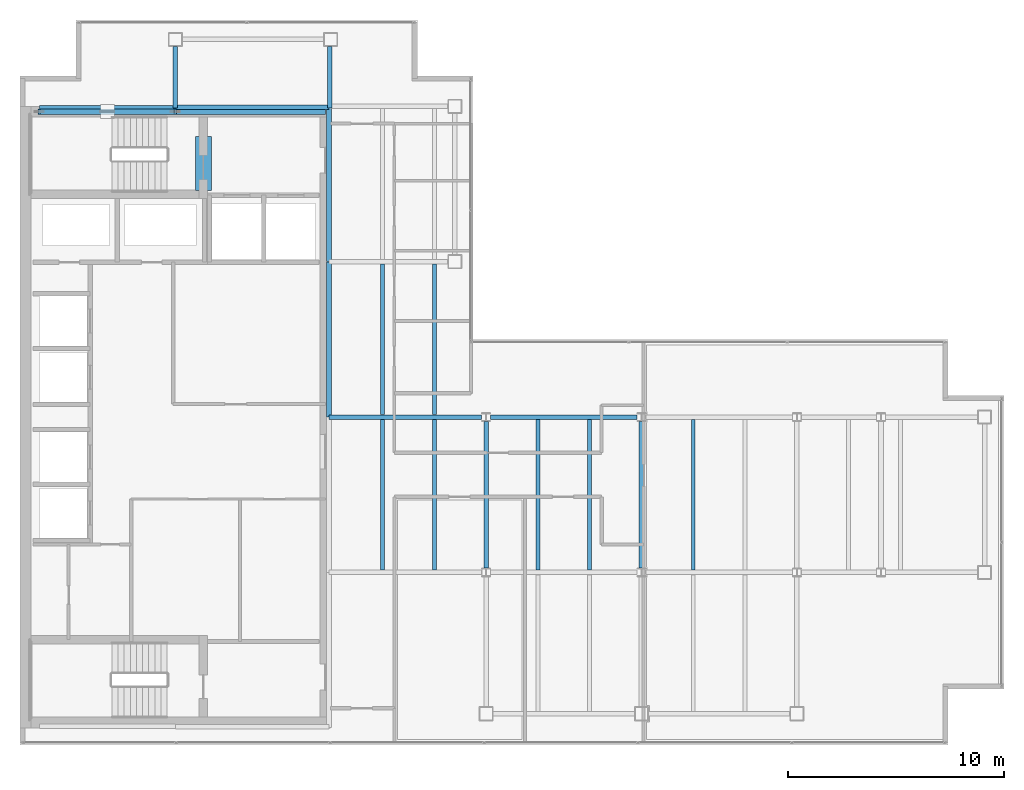
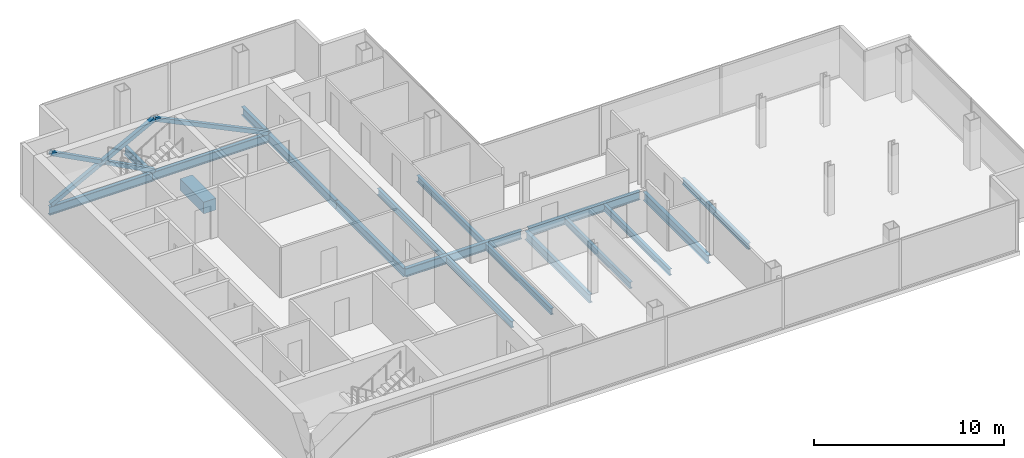
# One storey, part 7 of 23: 18 beams, 4 members.
"""IFC4 building model written with IfcOpenShell, lengths in metres."""

from ifc_helpers import new_model, si_unit, direction, frame, origin, origin_2d, place, context, subcontext, project, spatial, rectangle, hollow_rectangle, i_section, extrude, material, material_profile, profile_set, type_object, element, save


model = new_model("IFC4")

# Units and contexts
model_context = context("Model", 3, precision=1e-05, world=origin(), true_north=direction((0.0, 1.0)))
body_context = subcontext(model_context, "Body", "Model", "MODEL_VIEW")
ifc_project = project(units=[si_unit("LENGTHUNIT", "METRE"), si_unit("AREAUNIT", "SQUARE_METRE"), si_unit("VOLUMEUNIT", "CUBIC_METRE"), si_unit("PLANEANGLEUNIT", "RADIAN"), si_unit("MASSUNIT", "GRAM", prefix="KILO")], contexts=[model_context])

# Site, building, storey
site_placement = place(None, origin())
site = spatial("IfcSite", under=ifc_project, at=site_placement, CompositionType="ELEMENT")
building_placement = place(site_placement, origin())
building = spatial("IfcBuilding", under=site, at=building_placement, Name="Cobrela Telecom Tower", CompositionType="ELEMENT")
storey_placement = place(building_placement, frame((0.0, 0.0, 262.14990234375)))
storey = spatial("IfcBuildingStorey", under=building, at=storey_placement, Name="L68", CompositionType="ELEMENT", Elevation=262.14990234375)

# Beams
ifc_material_1 = material(Name="Concrete C40/50", Category="concrete")
ifc_material_profile_1 = material_profile(ifc_material_1, rectangle(XDim=0.75, YDim=0.75, at=origin_2d()), Name="RC 750x750")
ifc_profile_set_1 = profile_set([ifc_material_profile_1], Name="Concrete C40/50")
beam_type_1 = type_object("IfcBeamType", Name="BM-COUP-RC", PredefinedType="LINTEL", material=ifc_profile_set_1)
beam_1_placement = place(storey_placement, frame((8.5, 32.10009765625, -0.60986328125), z_axis=(0.0, 1.0, 0.0), x_axis=(-1.0, 0.0, 0.0)))
element("IfcBeam", 1, at=beam_1_placement, inside=storey, type_object=beam_type_1, Name="L68 Core Coupling Lintel Beam", PredefinedType="LINTEL", context=body_context, shape_type="SweptSolid", body=[
    extrude(rectangle(XDim=0.75, YDim=0.75, at=origin_2d()), origin(), (0.0, 0.0, 1.0), 2.5),
])
ifc_material_2 = material(Name="Steel ASTM A992 Grade 50", Category="steel")
ifc_material_profile_2 = material_profile(ifc_material_2, i_section(OverallWidth=0.212890625, OverallDepth=0.549072265625, WebThickness=0.0146484375, FlangeThickness=0.023681640625, FilletRadius=0.013916015625, at=origin_2d()), Name="W21X93")
ifc_profile_set_2 = profile_set([ifc_material_profile_2], Name="Steel ASTM A992 Grade 50")
beam_type_2 = type_object("IfcBeamType", Name="BM-GIRD-08", PredefinedType="USERDEFINED", material=ifc_profile_set_2)
beam_2_placement = place(storey_placement, frame((14.324951171875, 21.60009765625, -0.534423828125), z_axis=(1.0, 0.0, 0.0), x_axis=(0.0, 1.0, 0.0)))
element("IfcBeam", 2, at=beam_2_placement, inside=storey, type_object=beam_type_2, Name="L68 Primary Girder X10", ObjectType="GIRDER", PredefinedType="USERDEFINED", context=body_context, shape_type="SweptSolid", body=[
    extrude(i_section(OverallWidth=0.212890625, OverallDepth=0.549072265625, WebThickness=0.0146484375, FlangeThickness=0.023681640625, FilletRadius=0.013916015625, at=origin_2d()), origin(), (0.0, 0.0, 1.0), 7.070556640625),
])
beam_3_placement = place(storey_placement, frame((21.804443359375, 21.60009765625, -0.534423828125), z_axis=(1.0, 0.0, 0.0), x_axis=(0.0, 1.0, 0.0)))
element("IfcBeam", 3, at=beam_3_placement, inside=storey, type_object=beam_type_2, Name="L68 Primary Girder X11", ObjectType="GIRDER", PredefinedType="USERDEFINED", context=body_context, shape_type="SweptSolid", body=[
    extrude(i_section(OverallWidth=0.212890625, OverallDepth=0.549072265625, WebThickness=0.0146484375, FlangeThickness=0.023681640625, FilletRadius=0.013916015625, at=origin_2d()), origin(), (0.0, 0.0, 1.0), 6.791015625),
])
beam_4_placement = place(storey_placement, frame((0.905029296875, 35.919921875, -0.534423828125), z_axis=(1.0, 0.0, 0.0), x_axis=(0.0, 1.0, 0.0)))
element("IfcBeam", 4, at=beam_4_placement, inside=storey, type_object=beam_type_2, Name="L68 Primary Girder X16", ObjectType="GIRDER", PredefinedType="USERDEFINED", context=body_context, shape_type="SweptSolid", body=[
    extrude(i_section(OverallWidth=0.212890625, OverallDepth=0.549072265625, WebThickness=0.0146484375, FlangeThickness=0.023681640625, FilletRadius=0.013916015625, at=origin_2d()), origin(), (0.0, 0.0, 1.0), 6.2900390625),
])
beam_5_placement = place(storey_placement, frame((7.205078125, 35.9599609375, -0.534423828125), z_axis=(1.0, 0.0, 0.0), x_axis=(0.0, 1.0, 0.0)))
element("IfcBeam", 5, at=beam_5_placement, inside=storey, type_object=beam_type_2, Name="L68 Primary Girder X17", ObjectType="GIRDER", PredefinedType="USERDEFINED", context=body_context, shape_type="SweptSolid", body=[
    extrude(i_section(OverallWidth=0.212890625, OverallDepth=0.549072265625, WebThickness=0.0146484375, FlangeThickness=0.023681640625, FilletRadius=0.013916015625, at=origin_2d()), origin(), (0.0, 0.0, 1.0), 7.10986328125),
])
beam_6_placement = place(storey_placement, frame((7.199951171875, 35.925048828125, -0.534423828125), z_axis=(0.0, 1.0, 0.0), x_axis=(-1.0, 0.0, 0.0)))
element("IfcBeam", 6, at=beam_6_placement, inside=storey, type_object=beam_type_2, Name="L68 Primary Girder Y20", ObjectType="GIRDER", PredefinedType="USERDEFINED", context=body_context, shape_type="SweptSolid", body=[
    extrude(i_section(OverallWidth=0.212890625, OverallDepth=0.549072265625, WebThickness=0.0146484375, FlangeThickness=0.023681640625, FilletRadius=0.013916015625, at=origin_2d()), origin(), (0.0, 0.0, 1.0), 2.844970703125),
])
beam_7_placement = place(storey_placement, frame((14.320068359375, 21.60498046875, -0.534423828125), z_axis=(0.0, 1.0, 0.0), x_axis=(-1.0, 0.0, 0.0)))
element("IfcBeam", 7, at=beam_7_placement, inside=storey, type_object=beam_type_2, Name="L68 Primary Girder Y23", ObjectType="GIRDER", PredefinedType="USERDEFINED", context=body_context, shape_type="SweptSolid", body=[
    extrude(i_section(OverallWidth=0.212890625, OverallDepth=0.549072265625, WebThickness=0.0146484375, FlangeThickness=0.023681640625, FilletRadius=0.013916015625, at=origin_2d()), origin(), (0.0, 0.0, 1.0), 7.18994140625),
])
beam_8_placement = place(storey_placement, frame((14.320068359375, 28.804931640625, -0.534423828125), z_axis=(0.0, 1.0, 0.0), x_axis=(-1.0, 0.0, 0.0)))
element("IfcBeam", 8, at=beam_8_placement, inside=storey, type_object=beam_type_2, Name="L68 Primary Girder Y24", ObjectType="GIRDER", PredefinedType="USERDEFINED", context=body_context, shape_type="SweptSolid", body=[
    extrude(i_section(OverallWidth=0.212890625, OverallDepth=0.549072265625, WebThickness=0.0146484375, FlangeThickness=0.023681640625, FilletRadius=0.013916015625, at=origin_2d()), origin(), (0.0, 0.0, 1.0), 7.110107421875),
])
beam_9_placement = place(storey_placement, frame((14.360107421875, 35.925048828125, -0.534423828125), z_axis=(0.0, 1.0, 0.0), x_axis=(-1.0, 0.0, 0.0)))
element("IfcBeam", 9, at=beam_9_placement, inside=storey, type_object=beam_type_2, Name="L68 Primary Girder Y25", ObjectType="GIRDER", PredefinedType="USERDEFINED", context=body_context, shape_type="SweptSolid", body=[
    extrude(i_section(OverallWidth=0.212890625, OverallDepth=0.549072265625, WebThickness=0.0146484375, FlangeThickness=0.023681640625, FilletRadius=0.013916015625, at=origin_2d()), origin(), (0.0, 0.0, 1.0), 2.844970703125),
])
for number, where, z_axis, x_axis, name in (
    (10, (21.60009765625, 14.6044921875, -0.534423828125), (0.0, 1.0, 0.0), (-1.0, 0.0, 0.0), "L68 Primary Girder Y28"),
    (11, (28.800048828125, 14.6044921875, -0.534423828125), (0.0, 1.0, 0.0), (-1.0, 0.0, 0.0), "L68 Primary Girder Y30"),
):
    element("IfcBeam", number, at=place(storey_placement, frame(where, z_axis=z_axis, x_axis=x_axis)), inside=storey, type_object=beam_type_2, Name=name, ObjectType="GIRDER", PredefinedType="USERDEFINED", context=body_context, shape_type="SweptSolid", body=[
        extrude(i_section(OverallWidth=0.212890625, OverallDepth=0.549072265625, WebThickness=0.0146484375, FlangeThickness=0.023681640625, FilletRadius=0.013916015625, at=origin_2d()), origin(), (0.0, 0.0, 1.0), 6.791015625),
    ])
ifc_material_profile_3 = material_profile(ifc_material_2, i_section(OverallWidth=0.179931640625, OverallDepth=0.4169921875, WebThickness=0.010986328125, FlangeThickness=0.01806640625, FilletRadius=0.011962890625, at=origin_2d()), Name="W16X57")
ifc_profile_set_3 = profile_set([ifc_material_profile_3], Name="Steel ASTM A992 Grade 50")
beam_type_3 = type_object("IfcBeamType", Name="BM-JOIST-04", PredefinedType="JOIST", material=ifc_profile_set_3)
for number, where, z_axis, x_axis, name in (
    (12, (16.800048828125, 14.511474609375, -0.468505859375), (0.0, 1.0, 0.0), (-1.0, 0.0, 0.0), "L68 Secondary Composite Floor Beam J01"),
    (13, (16.800048828125, 21.71142578125, -0.468505859375), (0.0, 1.0, 0.0), (-1.0, 0.0, 0.0), "L68 Secondary Composite Floor Beam J02"),
    (14, (19.199951171875, 14.511474609375, -0.468505859375), (0.0, 1.0, 0.0), (-1.0, 0.0, 0.0), "L68 Secondary Composite Floor Beam J04"),
    (15, (19.199951171875, 21.71142578125, -0.468505859375), (0.0, 1.0, 0.0), (-1.0, 0.0, 0.0), "L68 Secondary Composite Floor Beam J05"),
    (16, (24.0, 14.511474609375, -0.468505859375), (0.0, 1.0, 0.0), (-1.0, 0.0, 0.0), "L68 Secondary Composite Floor Beam J08"),
    (17, (26.39990234375, 14.511474609375, -0.468505859375), (0.0, 1.0, 0.0), (-1.0, 0.0, 0.0), "L68 Secondary Composite Floor Beam J10"),
    (18, (31.199951171875, 14.511474609375, -0.468505859375), (0.0, 1.0, 0.0), (-1.0, 0.0, 0.0), "L68 Secondary Composite Floor Beam J12"),
):
    element("IfcBeam", number, at=place(storey_placement, frame(where, z_axis=z_axis, x_axis=x_axis)), inside=storey, type_object=beam_type_3, Name=name, PredefinedType="JOIST", context=body_context, shape_type="SweptSolid", body=[
        extrude(i_section(OverallWidth=0.179931640625, OverallDepth=0.4169921875, WebThickness=0.010986328125, FlangeThickness=0.01806640625, FilletRadius=0.011962890625, at=origin_2d()), origin(), (0.0, 0.0, 1.0), 6.97705078125),
    ])

# Members
ifc_material_3 = material(Name="Steel ASTM A572 Grade 50", Category="steel")
ifc_material_profile_4 = material_profile(ifc_material_3, hollow_rectangle(XDim=0.25, YDim=0.25, WallThickness=0.013916015625, at=origin_2d()), Name="HSS 250x250x14")
ifc_profile_set_4 = profile_set([ifc_material_profile_4], Name="Steel ASTM A572 Grade 50")
member_type = type_object("IfcMemberType", Name="MBR-EXO-04", PredefinedType="BRACE", material=ifc_profile_set_4)
member_1_placement = place(storey_placement, frame((0.89990234375, 35.75, -0.039794921875), z_axis=(0.884686085315, 0.0, 0.466187226821), x_axis=(0.0, 1.0, 0.0)))
element("IfcMember", 19, at=member_1_placement, inside=storey, type_object=member_type, Name="L68 Core Flange Steel X-Brace Continuous A", PredefinedType="BRACE", context=body_context, shape_type="SweptSolid", body=[
    extrude(hollow_rectangle(XDim=0.25, YDim=0.25, WallThickness=0.013916015625, at=origin_2d()), origin(), (0.0, 0.0, 1.0), 7.121337890625),
])
member_2_placement = place(storey_placement, frame((7.199951171875, 35.75, -0.039794921875), z_axis=(-0.884702916743, 0.0, 0.466155284328), x_axis=(0.0, -1.0, 0.0)))
element("IfcMember", 20, at=member_2_placement, inside=storey, type_object=member_type, Name="L68 Core Flange Steel X-Brace Split B1", PredefinedType="BRACE", context=body_context, shape_type="SweptSolid", body=[
    extrude(hollow_rectangle(XDim=0.25, YDim=0.25, WallThickness=0.013916015625, at=origin_2d()), origin(), (0.0, 0.0, 1.0), 3.42041015625),
])
member_3_placement = place(storey_placement, frame((3.926025390625, 35.75, 1.685302734375), z_axis=(-0.884673479945, 0.0, 0.466211147317), x_axis=(0.0, -1.0, 0.0)))
element("IfcMember", 21, at=member_3_placement, inside=storey, type_object=member_type, Name="L68 Core Flange Steel X-Brace Split B2", PredefinedType="BRACE", context=body_context, shape_type="SweptSolid", body=[
    extrude(hollow_rectangle(XDim=0.25, YDim=0.25, WallThickness=0.013916015625, at=origin_2d()), origin(), (0.0, 0.0, 1.0), 3.420654296875),
])
member_4_placement = place(storey_placement, frame((14.10009765625, 35.75, -0.039794921875), z_axis=(-0.901127639633, 0.0, 0.433553891793), x_axis=(0.0, -1.0, 0.0)))
element("IfcMember", 22, at=member_4_placement, inside=storey, type_object=member_type, Name="L68 Core Flange Steel Brace N2", PredefinedType="BRACE", context=body_context, shape_type="SweptSolid", body=[
    extrude(hollow_rectangle(XDim=0.25, YDim=0.25, WallThickness=0.013916015625, at=origin_2d()), origin(), (0.0, 0.0, 1.0), 7.6572265625),
])

save(model, "model.ifc")
